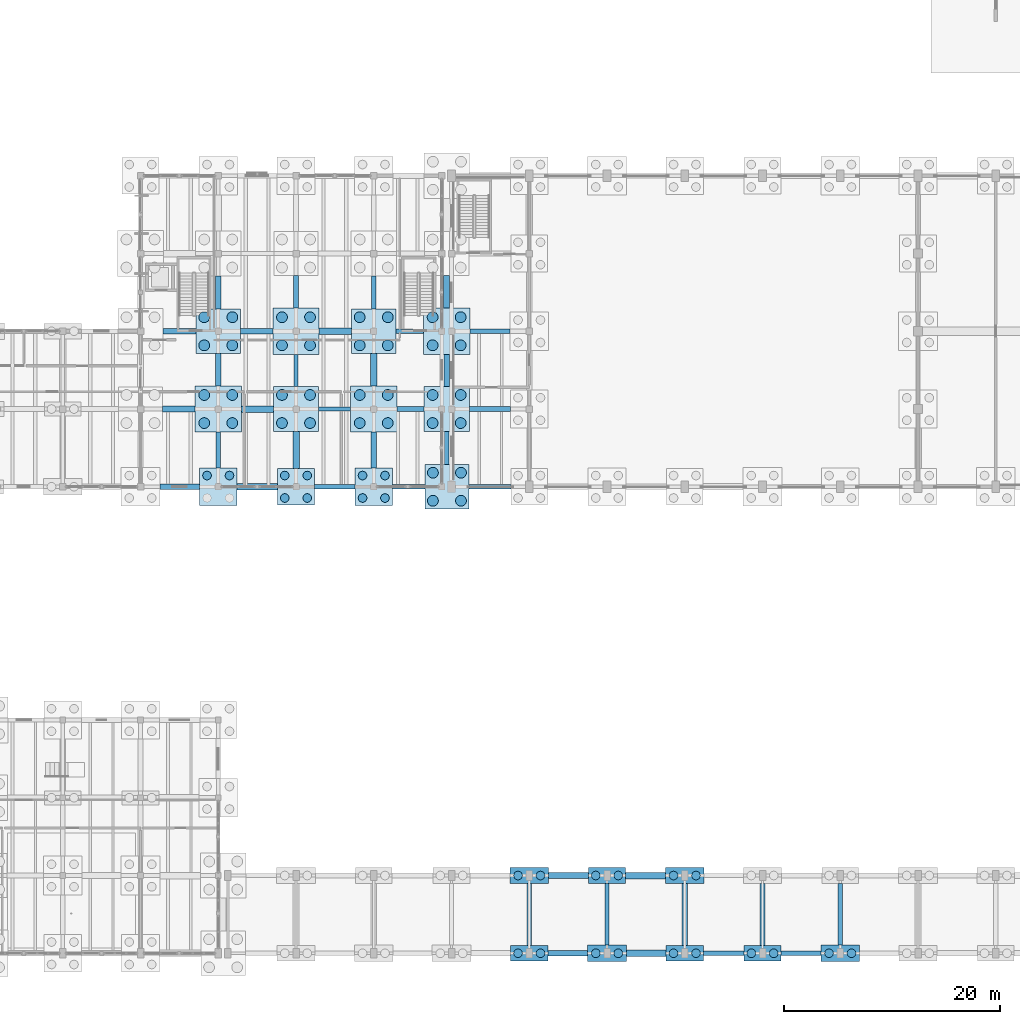
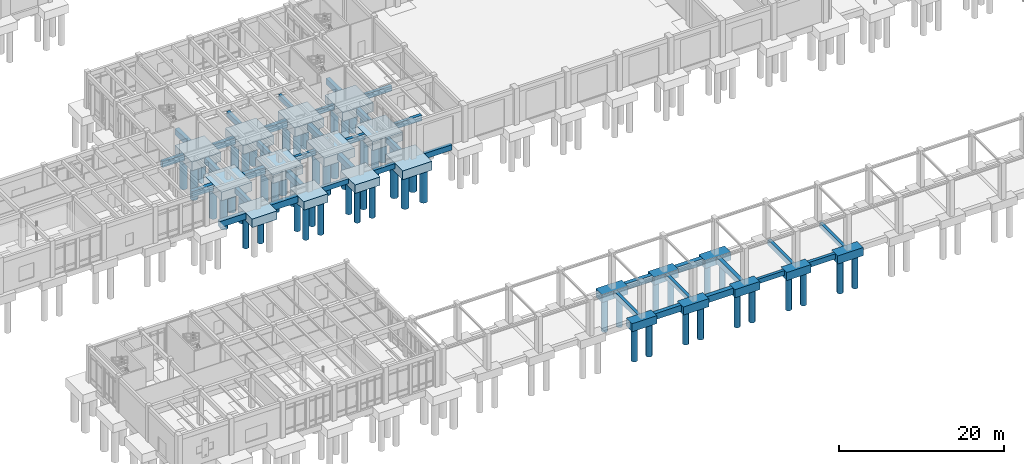
# One storey, part 3 of 93: 62 piles, 58 footings.
"""IFC4 building model written with IfcOpenShell, lengths in metres."""

from ifc_helpers import new_model, si_unit, direction, frame, origin, origin_2d, place, context, subcontext, project, spatial, rectangle, circle, extrude, material, material_profile, profile_set, type_object, element, save


model = new_model("IFC4")

# Units and contexts
model_context = context("Model", 3, precision=1e-05, world=origin(), true_north=direction((0.0, 1.0)))
body_context = subcontext(model_context, "Body", "Model", "MODEL_VIEW")
ifc_project = project(units=[si_unit("LENGTHUNIT", "METRE"), si_unit("AREAUNIT", "SQUARE_METRE"), si_unit("VOLUMEUNIT", "CUBIC_METRE"), si_unit("PLANEANGLEUNIT", "RADIAN"), si_unit("MASSUNIT", "GRAM", prefix="KILO")], contexts=[model_context])

# Site, building, storey
site_placement = place(None, origin())
site = spatial("IfcSite", under=ifc_project, at=site_placement, CompositionType="ELEMENT")
building_placement = place(site_placement, origin())
building = spatial("IfcBuilding", under=site, at=building_placement, Name="Koriwan Promenade Central Fire Station", CompositionType="ELEMENT")
storey_placement = place(building_placement, origin())
storey = spatial("IfcBuildingStorey", under=building, at=storey_placement, Name="L00", CompositionType="ELEMENT", Elevation=0.0)

# Piles
ifc_material = material(Name="Concrete C35/45", Category="concrete")
ifc_material_profile_1 = material_profile(ifc_material, circle(Radius=0.5, at=origin_2d()), Name="PILE-D1000")
ifc_profile_set_1 = profile_set([ifc_material_profile_1], Name="Concrete C35/45")
pile_type_1 = type_object("IfcPileType", Name="BoredPile_1000", PredefinedType="BORED", material=ifc_profile_set_1)
for number, where, z_axis, x_axis, name in (
    (1, (34.699951171875, 49.10009765625, -1.14990234375), (0.0, 0.0, -1.0), (1.0, 0.0, 0.0), "Bored pile PCAP_059-11"),
    (2, (34.699951171875, 51.699951171875, -1.14990234375), (0.0, 0.0, -1.0), (1.0, 0.0, 0.0), "Bored pile PCAP_059-12"),
    (3, (37.300048828125, 49.10009765625, -1.14990234375), (0.0, 0.0, -1.0), (1.0, 0.0, 0.0), "Bored pile PCAP_059-21"),
    (4, (37.300048828125, 51.699951171875, -1.14990234375), (0.0, 0.0, -1.0), (1.0, 0.0, 0.0), "Bored pile PCAP_059-22"),
    (5, (34.699951171875, 56.300048828125, -1.14990234375), (0.0, 0.0, -1.0), (1.0, 0.0, 0.0), "Bored pile PCAP_060-11"),
    (6, (34.699951171875, 58.89990234375, -1.14990234375), (0.0, 0.0, -1.0), (1.0, 0.0, 0.0), "Bored pile PCAP_060-12"),
    (7, (37.300048828125, 56.300048828125, -1.14990234375), (0.0, 0.0, -1.0), (1.0, 0.0, 0.0), "Bored pile PCAP_060-21"),
    (8, (37.300048828125, 58.89990234375, -1.14990234375), (0.0, 0.0, -1.0), (1.0, 0.0, 0.0), "Bored pile PCAP_060-22"),
    (9, (41.89990234375, 49.10009765625, -1.14990234375), (0.0, 0.0, -1.0), (1.0, 0.0, 0.0), "Bored pile PCAP_070-11"),
    (10, (41.89990234375, 51.699951171875, -1.14990234375), (0.0, 0.0, -1.0), (1.0, 0.0, 0.0), "Bored pile PCAP_070-12"),
    (11, (44.5, 49.10009765625, -1.14990234375), (0.0, 0.0, -1.0), (1.0, 0.0, 0.0), "Bored pile PCAP_070-21"),
    (12, (44.5, 51.699951171875, -1.14990234375), (0.0, 0.0, -1.0), (1.0, 0.0, 0.0), "Bored pile PCAP_070-22"),
    (13, (41.89990234375, 56.300048828125, -1.14990234375), (0.0, 0.0, -1.0), (1.0, 0.0, 0.0), "Bored pile PCAP_071-11"),
    (14, (41.89990234375, 58.89990234375, -1.14990234375), (0.0, 0.0, -1.0), (1.0, 0.0, 0.0), "Bored pile PCAP_071-12"),
    (15, (44.5, 56.300048828125, -1.14990234375), (0.0, 0.0, -1.0), (1.0, 0.0, 0.0), "Bored pile PCAP_071-21"),
    (16, (44.5, 58.89990234375, -1.14990234375), (0.0, 0.0, -1.0), (1.0, 0.0, 0.0), "Bored pile PCAP_071-22"),
    (17, (49.10009765625, 49.10009765625, -1.14990234375), (0.0, 0.0, -1.0), (1.0, 0.0, 0.0), "Bored pile PCAP_077-11"),
    (18, (49.10009765625, 51.699951171875, -1.14990234375), (0.0, 0.0, -1.0), (1.0, 0.0, 0.0), "Bored pile PCAP_077-12"),
    (19, (51.699951171875, 49.10009765625, -1.14990234375), (0.0, 0.0, -1.0), (1.0, 0.0, 0.0), "Bored pile PCAP_077-21"),
    (20, (51.699951171875, 51.699951171875, -1.14990234375), (0.0, 0.0, -1.0), (1.0, 0.0, 0.0), "Bored pile PCAP_077-22"),
    (21, (49.10009765625, 56.300048828125, -1.14990234375), (0.0, 0.0, -1.0), (1.0, 0.0, 0.0), "Bored pile PCAP_078-11"),
    (22, (49.10009765625, 58.89990234375, -1.14990234375), (0.0, 0.0, -1.0), (1.0, 0.0, 0.0), "Bored pile PCAP_078-12"),
    (23, (51.699951171875, 56.300048828125, -1.14990234375), (0.0, 0.0, -1.0), (1.0, 0.0, 0.0), "Bored pile PCAP_078-21"),
    (24, (51.699951171875, 58.89990234375, -1.14990234375), (0.0, 0.0, -1.0), (1.0, 0.0, 0.0), "Bored pile PCAP_078-22"),
    (25, (55.875, 41.89990234375, -1.14990234375), (0.0, 0.0, -1.0), (1.0, 0.0, 0.0), "Bored pile PCAP_081-11"),
    (26, (55.875, 44.5, -1.14990234375), (0.0, 0.0, -1.0), (1.0, 0.0, 0.0), "Bored pile PCAP_081-12"),
    (27, (58.47509765625, 41.89990234375, -1.14990234375), (0.0, 0.0, -1.0), (1.0, 0.0, 0.0), "Bored pile PCAP_081-21"),
    (28, (58.47509765625, 44.5, -1.14990234375), (0.0, 0.0, -1.0), (1.0, 0.0, 0.0), "Bored pile PCAP_081-22"),
    (29, (55.85009765625, 49.10009765625, -1.14990234375), (0.0, 0.0, -1.0), (1.0, 0.0, 0.0), "Bored pile PCAP_082-11"),
    (30, (55.85009765625, 51.699951171875, -1.14990234375), (0.0, 0.0, -1.0), (1.0, 0.0, 0.0), "Bored pile PCAP_082-12"),
    (31, (58.449951171875, 49.10009765625, -1.14990234375), (0.0, 0.0, -1.0), (1.0, 0.0, 0.0), "Bored pile PCAP_082-21"),
    (32, (58.449951171875, 51.699951171875, -1.14990234375), (0.0, 0.0, -1.0), (1.0, 0.0, 0.0), "Bored pile PCAP_082-22"),
    (33, (55.85009765625, 56.300048828125, -1.14990234375), (0.0, 0.0, -1.0), (1.0, 0.0, 0.0), "Bored pile PCAP_083-11"),
    (34, (55.85009765625, 58.89990234375, -1.14990234375), (0.0, 0.0, -1.0), (1.0, 0.0, 0.0), "Bored pile PCAP_083-12"),
    (35, (58.449951171875, 56.300048828125, -1.14990234375), (0.0, 0.0, -1.0), (1.0, 0.0, 0.0), "Bored pile PCAP_083-21"),
    (36, (58.449951171875, 58.89990234375, -1.14990234375), (0.0, 0.0, -1.0), (1.0, 0.0, 0.0), "Bored pile PCAP_083-22"),
):
    element("IfcPile", number, at=place(storey_placement, frame(where, z_axis=z_axis, x_axis=x_axis)), inside=storey, type_object=pile_type_1, Name=name, PredefinedType="BORED", context=body_context, shape_type="SweptSolid", body=[
        extrude(circle(Radius=0.5, at=origin_2d()), origin(), (0.0, 0.0, 1.0), 4.89990234375),
    ])
ifc_material_profile_2 = material_profile(ifc_material, circle(Radius=0.39990234375, at=origin_2d()), Name="PILE-D800")
ifc_profile_set_2 = profile_set([ifc_material_profile_2], Name="Concrete C35/45")
pile_type_2 = type_object("IfcPileType", Name="BoredPile_800", PredefinedType="BORED", material=ifc_profile_set_2)
for number, where, z_axis, x_axis, name in (
    (37, (34.9599609375, 44.239990234375, -1.10009765625), (0.0, 0.0, -1.0), (1.0, 0.0, 0.0), "Bored pile PCAP_058-12"),
    (38, (37.0400390625, 44.239990234375, -1.10009765625), (0.0, 0.0, -1.0), (1.0, 0.0, 0.0), "Bored pile PCAP_058-22"),
    (39, (42.159912109375, 42.159912109375, -1.10009765625), (0.0, 0.0, -1.0), (1.0, 0.0, 0.0), "Bored pile PCAP_069-11"),
    (40, (42.159912109375, 44.239990234375, -1.10009765625), (0.0, 0.0, -1.0), (1.0, 0.0, 0.0), "Bored pile PCAP_069-12"),
    (41, (44.239990234375, 42.159912109375, -1.10009765625), (0.0, 0.0, -1.0), (1.0, 0.0, 0.0), "Bored pile PCAP_069-21"),
    (42, (44.239990234375, 44.239990234375, -1.10009765625), (0.0, 0.0, -1.0), (1.0, 0.0, 0.0), "Bored pile PCAP_069-22"),
    (43, (49.360107421875, 42.159912109375, -1.10009765625), (0.0, 0.0, -1.0), (1.0, 0.0, 0.0), "Bored pile PCAP_076-11"),
    (44, (49.360107421875, 44.239990234375, -1.10009765625), (0.0, 0.0, -1.0), (1.0, 0.0, 0.0), "Bored pile PCAP_076-12"),
    (45, (51.43994140625, 42.159912109375, -1.10009765625), (0.0, 0.0, -1.0), (1.0, 0.0, 0.0), "Bored pile PCAP_076-21"),
    (46, (51.43994140625, 44.239990234375, -1.10009765625), (0.0, 0.0, -1.0), (1.0, 0.0, 0.0), "Bored pile PCAP_076-22"),
):
    element("IfcPile", number, at=place(storey_placement, frame(where, z_axis=z_axis, x_axis=x_axis)), inside=storey, type_object=pile_type_2, Name=name, PredefinedType="BORED", context=body_context, shape_type="SweptSolid", body=[
        extrude(circle(Radius=0.39990234375, at=origin_2d()), origin(), (0.0, 0.0, 1.0), 4.949951171875),
    ])
for number, where, z_axis, x_axis, name in (
    (47, (63.760009765625, 0.0, -1.050048828125), (0.0, 0.0, -1.0), (1.0, 0.0, 0.0), "Bored pile PCAP_088-11"),
    (48, (65.840087890625, 0.0, -1.050048828125), (0.0, 0.0, -1.0), (1.0, 0.0, 0.0), "Bored pile PCAP_088-21"),
    (49, (63.760009765625, 7.199951171875, -1.050048828125), (0.0, 0.0, -1.0), (1.0, 0.0, 0.0), "Bored pile PCAP_089-11"),
    (50, (65.840087890625, 7.199951171875, -1.050048828125), (0.0, 0.0, -1.0), (1.0, 0.0, 0.0), "Bored pile PCAP_089-21"),
    (51, (70.9599609375, 0.0, -1.050048828125), (0.0, 0.0, -1.0), (1.0, 0.0, 0.0), "Bored pile PCAP_095-11"),
    (52, (73.0400390625, 0.0, -1.050048828125), (0.0, 0.0, -1.0), (1.0, 0.0, 0.0), "Bored pile PCAP_095-21"),
    (53, (70.9599609375, 7.199951171875, -1.050048828125), (0.0, 0.0, -1.0), (1.0, 0.0, 0.0), "Bored pile PCAP_096-11"),
    (54, (73.0400390625, 7.199951171875, -1.050048828125), (0.0, 0.0, -1.0), (1.0, 0.0, 0.0), "Bored pile PCAP_096-21"),
    (55, (78.159912109375, 0.0, -1.050048828125), (0.0, 0.0, -1.0), (1.0, 0.0, 0.0), "Bored pile PCAP_103-11"),
    (56, (80.239990234375, 0.0, -1.050048828125), (0.0, 0.0, -1.0), (1.0, 0.0, 0.0), "Bored pile PCAP_103-21"),
    (57, (78.159912109375, 7.199951171875, -1.050048828125), (0.0, 0.0, -1.0), (1.0, 0.0, 0.0), "Bored pile PCAP_104-11"),
    (58, (80.239990234375, 7.199951171875, -1.050048828125), (0.0, 0.0, -1.0), (1.0, 0.0, 0.0), "Bored pile PCAP_104-21"),
    (59, (85.360107421875, 0.0, -1.050048828125), (0.0, 0.0, -1.0), (1.0, 0.0, 0.0), "Bored pile PCAP_111-11"),
    (60, (87.43994140625, 0.0, -1.050048828125), (0.0, 0.0, -1.0), (1.0, 0.0, 0.0), "Bored pile PCAP_111-21"),
    (61, (92.56005859375, 0.0, -1.050048828125), (0.0, 0.0, -1.0), (1.0, 0.0, 0.0), "Bored pile PCAP_119-11"),
    (62, (94.639892578125, 0.0, -1.050048828125), (0.0, 0.0, -1.0), (1.0, 0.0, 0.0), "Bored pile PCAP_119-21"),
):
    element("IfcPile", number, at=place(storey_placement, frame(where, z_axis=z_axis, x_axis=x_axis)), inside=storey, type_object=pile_type_2, Name=name, PredefinedType="BORED", context=body_context, shape_type="SweptSolid", body=[
        extrude(circle(Radius=0.39990234375, at=origin_2d()), origin(), (0.0, 0.0, 1.0), 5.0),
    ])

# Footings
footing_type_1 = type_object("IfcFootingType", Name="GroundTieBeam_400x700", PredefinedType="FOOTING_BEAM", material=ifc_material)
for number, where, z_axis, x_axis, name in (
    (63, (82.824951171875, 0.0, -0.7001953125), (0.0, 0.0, 1.0), (1.0, 0.0, 0.0), "Seismic tie beam X-012"),
    (64, (46.77490234375, 43.199951171875, -0.7001953125), (0.0, 0.0, 1.0), (1.0, 0.0, 0.0), "Seismic tie beam X-078"),
):
    element("IfcFooting", number, at=place(storey_placement, frame(where, z_axis=z_axis, x_axis=x_axis)), inside=storey, type_object=footing_type_1, Name=name, PredefinedType="FOOTING_BEAM", context=body_context, shape_type="SweptSolid", body=[
        extrude(rectangle(XDim=3.75, YDim=0.39990234375, at=origin_2d()), origin(), (0.0, 0.0, 1.0), 0.699951171875),
    ])
footing_1_placement = place(storey_placement, frame((46.77490234375, 50.39990234375, -0.7001953125), z_axis=(0.0, 0.0, 1.0), x_axis=(1.0, 0.0, 0.0)))
element("IfcFooting", 65, at=footing_1_placement, inside=storey, type_object=footing_type_1, Name="Seismic tie beam X-102", PredefinedType="FOOTING_BEAM", context=body_context, shape_type="SweptSolid", body=[
    extrude(rectangle(XDim=2.949951171875, YDim=0.39990234375, at=origin_2d()), origin(), (0.0, 0.0, 1.0), 0.699951171875),
])
footing_2_placement = place(storey_placement, frame((53.72509765625, 57.60009765625, -0.7001953125), z_axis=(0.0, 0.0, 1.0), x_axis=(1.0, 0.0, 0.0)))
element("IfcFooting", 66, at=footing_2_placement, inside=storey, type_object=footing_type_1, Name="Seismic tie beam X-120", PredefinedType="FOOTING_BEAM", context=body_context, shape_type="SweptSolid", body=[
    extrude(rectangle(XDim=2.550048828125, YDim=0.39990234375, at=origin_2d()), origin(), (0.0, 0.0, 1.0), 0.699951171875),
])
footing_3_placement = place(storey_placement, frame((43.199951171875, 53.97509765625, -0.7001953125), z_axis=(0.0, 0.0, 1.0), x_axis=(0.0, 1.0, 0.0)))
element("IfcFooting", 67, at=footing_3_placement, inside=storey, type_object=footing_type_1, Name="Seismic tie beam Y-228", PredefinedType="FOOTING_BEAM", context=body_context, shape_type="SweptSolid", body=[
    extrude(rectangle(XDim=2.949951171875, YDim=0.39990234375, at=origin_2d()), origin(), (0.0, 0.0, 1.0), 0.699951171875),
])
footing_4_placement = place(storey_placement, frame((50.39990234375, 61.175048828125, -0.7001953125), z_axis=(0.0, 0.0, 1.0), x_axis=(0.0, 1.0, 0.0)))
element("IfcFooting", 68, at=footing_4_placement, inside=storey, type_object=footing_type_1, Name="Seismic tie beam Y-234", PredefinedType="FOOTING_BEAM", context=body_context, shape_type="SweptSolid", body=[
    extrude(rectangle(XDim=3.050048828125, YDim=0.39990234375, at=origin_2d()), origin(), (0.0, 0.0, 1.0), 0.699951171875),
])
for number, where, z_axis, x_axis, name in (
    (69, (72.0, 3.612548828125, -0.7001953125), (0.0, 0.0, 1.0), (0.0, 1.0, 0.0), "Seismic tie beam Y-246"),
    (70, (93.60009765625, 3.612548828125, -0.7001953125), (0.0, 0.0, 1.0), (0.0, 1.0, 0.0), "Seismic tie beam Y-258"),
):
    element("IfcFooting", number, at=place(storey_placement, frame(where, z_axis=z_axis, x_axis=x_axis)), inside=storey, type_object=footing_type_1, Name=name, PredefinedType="FOOTING_BEAM", context=body_context, shape_type="SweptSolid", body=[
        extrude(rectangle(XDim=5.72509765625, YDim=0.39990234375, at=origin_2d()), origin(), (0.0, 0.0, 1.0), 0.699951171875),
    ])
footing_type_2 = type_object("IfcFootingType", Name="GroundTieBeam_450x750", PredefinedType="FOOTING_BEAM", material=ifc_material)
footing_5_placement = place(storey_placement, frame((89.949951171875, 0.0, -0.75), z_axis=(0.0, 0.0, 1.0), x_axis=(1.0, 0.0, 0.0)))
element("IfcFooting", 71, at=footing_5_placement, inside=storey, type_object=footing_type_2, Name="Seismic tie beam X-013", PredefinedType="FOOTING_BEAM", context=body_context, shape_type="SweptSolid", body=[
    extrude(rectangle(XDim=3.699951171875, YDim=0.449951171875, at=origin_2d()), origin(), (0.0, 0.0, 1.0), 0.75),
])
footing_6_placement = place(storey_placement, frame((53.637451171875, 43.199951171875, -0.75), z_axis=(0.0, 0.0, 1.0), x_axis=(1.0, 0.0, 0.0)))
element("IfcFooting", 72, at=footing_6_placement, inside=storey, type_object=footing_type_2, Name="Seismic tie beam X-079", PredefinedType="FOOTING_BEAM", context=body_context, shape_type="SweptSolid", body=[
    extrude(rectangle(XDim=2.97509765625, YDim=0.449951171875, at=origin_2d()), origin(), (0.0, 0.0, 1.0), 0.75),
])
footing_7_placement = place(storey_placement, frame((53.800048828125, 50.39990234375, -0.75), z_axis=(0.0, 0.0, 1.0), x_axis=(1.0, 0.0, 0.0)))
element("IfcFooting", 73, at=footing_7_placement, inside=storey, type_object=footing_type_2, Name="Seismic tie beam X-103", PredefinedType="FOOTING_BEAM", context=body_context, shape_type="SweptSolid", body=[
    extrude(rectangle(XDim=2.5, YDim=0.449951171875, at=origin_2d()), origin(), (0.0, 0.0, 1.0), 0.75),
])
footing_8_placement = place(storey_placement, frame((61.14990234375, 57.60009765625, -0.75), z_axis=(0.0, 0.0, 1.0), x_axis=(1.0, 0.0, 0.0)))
element("IfcFooting", 74, at=footing_8_placement, inside=storey, type_object=footing_type_2, Name="Seismic tie beam X-121", PredefinedType="FOOTING_BEAM", context=body_context, shape_type="SweptSolid", body=[
    extrude(rectangle(XDim=3.699951171875, YDim=0.449951171875, at=origin_2d()), origin(), (0.0, 0.0, 1.0), 0.75),
])
footing_9_placement = place(storey_placement, frame((43.199951171875, 61.25, -0.75), z_axis=(0.0, 0.0, 1.0), x_axis=(0.0, 1.0, 0.0)))
element("IfcFooting", 75, at=footing_9_placement, inside=storey, type_object=footing_type_2, Name="Seismic tie beam Y-229", PredefinedType="FOOTING_BEAM", context=body_context, shape_type="SweptSolid", body=[
    extrude(rectangle(XDim=3.0, YDim=0.449951171875, at=origin_2d()), origin(), (0.0, 0.0, 1.0), 0.75),
])
footing_10_placement = place(storey_placement, frame((64.800048828125, 3.574951171875, -0.75), z_axis=(0.0, 0.0, 1.0), x_axis=(0.0, 1.0, 0.0)))
element("IfcFooting", 76, at=footing_10_placement, inside=storey, type_object=footing_type_2, Name="Seismic tie beam Y-241", PredefinedType="FOOTING_BEAM", context=body_context, shape_type="SweptSolid", body=[
    extrude(rectangle(XDim=5.75, YDim=0.449951171875, at=origin_2d()), origin(), (0.0, 0.0, 1.0), 0.75),
])
footing_type_3 = type_object("IfcFootingType", Name="GroundTieBeam_450x800", PredefinedType="FOOTING_BEAM", material=ifc_material)
footing_11_placement = place(storey_placement, frame((61.16259765625, 43.199951171875, -0.7998046875), z_axis=(0.0, 0.0, 1.0), x_axis=(1.0, 0.0, 0.0)))
element("IfcFooting", 77, at=footing_11_placement, inside=storey, type_object=footing_type_3, Name="Seismic tie beam X-080", PredefinedType="FOOTING_BEAM", context=body_context, shape_type="SweptSolid", body=[
    extrude(rectangle(XDim=3.875, YDim=0.449951171875, at=origin_2d()), origin(), (0.0, 0.0, 1.0), 0.800048828125),
])
footing_12_placement = place(storey_placement, frame((61.14990234375, 50.39990234375, -0.7998046875), z_axis=(0.0, 0.0, 1.0), x_axis=(1.0, 0.0, 0.0)))
element("IfcFooting", 78, at=footing_12_placement, inside=storey, type_object=footing_type_3, Name="Seismic tie beam X-104", PredefinedType="FOOTING_BEAM", context=body_context, shape_type="SweptSolid", body=[
    extrude(rectangle(XDim=3.800048828125, YDim=0.449951171875, at=origin_2d()), origin(), (0.0, 0.0, 1.0), 0.800048828125),
])
footing_13_placement = place(storey_placement, frame((36.0, 46.60009765625, -0.7998046875), z_axis=(0.0, 0.0, 1.0), x_axis=(0.0, 1.0, 0.0)))
element("IfcFooting", 79, at=footing_13_placement, inside=storey, type_object=footing_type_3, Name="Seismic tie beam Y-218", PredefinedType="FOOTING_BEAM", context=body_context, shape_type="SweptSolid", body=[
    extrude(rectangle(XDim=3.300048828125, YDim=0.449951171875, at=origin_2d()), origin(), (0.0, 0.0, 1.0), 0.800048828125),
])
footing_14_placement = place(storey_placement, frame((57.16259765625, 46.77490234375, -0.7998046875), z_axis=(0.0, 0.0, 1.0), x_axis=(0.0, 1.0, 0.0)))
element("IfcFooting", 80, at=footing_14_placement, inside=storey, type_object=footing_type_3, Name="Seismic tie beam Y-236", PredefinedType="FOOTING_BEAM", context=body_context, shape_type="SweptSolid", body=[
    extrude(rectangle(XDim=3.050048828125, YDim=0.449951171875, at=origin_2d()), origin(), (0.0, 0.0, 1.0), 0.800048828125),
])
footing_15_placement = place(storey_placement, frame((86.39990234375, 3.58740234375, -0.7998046875), z_axis=(0.0, 0.0, 1.0), x_axis=(0.0, 1.0, 0.0)))
element("IfcFooting", 81, at=footing_15_placement, inside=storey, type_object=footing_type_3, Name="Seismic tie beam Y-254", PredefinedType="FOOTING_BEAM", context=body_context, shape_type="SweptSolid", body=[
    extrude(rectangle(XDim=5.77490234375, YDim=0.449951171875, at=origin_2d()), origin(), (0.0, 0.0, 1.0), 0.800048828125),
])
footing_type_4 = type_object("IfcFootingType", Name="GroundTieBeam_500x850", PredefinedType="FOOTING_BEAM", material=ifc_material)
footing_16_placement = place(storey_placement, frame((32.425048828125, 57.60009765625, -0.85009765625), z_axis=(0.0, 0.0, 1.0), x_axis=(1.0, 0.0, 0.0)))
element("IfcFooting", 82, at=footing_16_placement, inside=storey, type_object=footing_type_4, Name="Seismic tie beam X-117", PredefinedType="FOOTING_BEAM", context=body_context, shape_type="SweptSolid", body=[
    extrude(rectangle(XDim=3.050048828125, YDim=0.5, at=origin_2d()), origin(), (0.0, 0.0, 1.0), 0.85009765625),
])
footing_17_placement = place(storey_placement, frame((36.0, 54.050048828125, -0.85009765625), z_axis=(0.0, 0.0, 1.0), x_axis=(0.0, 1.0, 0.0)))
element("IfcFooting", 83, at=footing_17_placement, inside=storey, type_object=footing_type_4, Name="Seismic tie beam Y-219", PredefinedType="FOOTING_BEAM", context=body_context, shape_type="SweptSolid", body=[
    extrude(rectangle(XDim=3.0, YDim=0.5, at=origin_2d()), origin(), (0.0, 0.0, 1.0), 0.85009765625),
])
footing_18_placement = place(storey_placement, frame((57.14990234375, 53.97509765625, -0.85009765625), z_axis=(0.0, 0.0, 1.0), x_axis=(0.0, 1.0, 0.0)))
element("IfcFooting", 84, at=footing_18_placement, inside=storey, type_object=footing_type_4, Name="Seismic tie beam Y-237", PredefinedType="FOOTING_BEAM", context=body_context, shape_type="SweptSolid", body=[
    extrude(rectangle(XDim=2.949951171875, YDim=0.5, at=origin_2d()), origin(), (0.0, 0.0, 1.0), 0.85009765625),
])
footing_type_5 = type_object("IfcFootingType", Name="GroundTieBeam_550x900", PredefinedType="FOOTING_BEAM", material=ifc_material)
footing_19_placement = place(storey_placement, frame((68.375, 0.0, -0.89990234375), z_axis=(0.0, 0.0, 1.0), x_axis=(1.0, 0.0, 0.0)))
element("IfcFooting", 85, at=footing_19_placement, inside=storey, type_object=footing_type_5, Name="Seismic tie beam X-010", PredefinedType="FOOTING_BEAM", context=body_context, shape_type="SweptSolid", body=[
    extrude(rectangle(XDim=3.64990234375, YDim=0.550048828125, at=origin_2d()), origin(), (0.0, 0.0, 1.0), 0.89990234375),
])
footing_20_placement = place(storey_placement, frame((68.449951171875, 7.199951171875, -0.89990234375), z_axis=(0.0, 0.0, 1.0), x_axis=(1.0, 0.0, 0.0)))
element("IfcFooting", 86, at=footing_20_placement, inside=storey, type_object=footing_type_5, Name="Seismic tie beam X-034", PredefinedType="FOOTING_BEAM", context=body_context, shape_type="SweptSolid", body=[
    extrude(rectangle(XDim=3.699951171875, YDim=0.550048828125, at=origin_2d()), origin(), (0.0, 0.0, 1.0), 0.89990234375),
])
footing_21_placement = place(storey_placement, frame((32.425048828125, 43.199951171875, -0.89990234375), z_axis=(0.0, 0.0, 1.0), x_axis=(1.0, 0.0, 0.0)))
element("IfcFooting", 87, at=footing_21_placement, inside=storey, type_object=footing_type_5, Name="Seismic tie beam X-076", PredefinedType="FOOTING_BEAM", context=body_context, shape_type="SweptSolid", body=[
    extrude(rectangle(XDim=3.64990234375, YDim=0.550048828125, at=origin_2d()), origin(), (0.0, 0.0, 1.0), 0.89990234375),
])
for number, where, z_axis, x_axis, name in (
    (88, (32.35009765625, 50.39990234375, -0.89990234375), (0.0, 0.0, 1.0), (1.0, 0.0, 0.0), "Seismic tie beam X-100"),
    (89, (39.550048828125, 57.60009765625, -0.89990234375), (0.0, 0.0, 1.0), (1.0, 0.0, 0.0), "Seismic tie beam X-118"),
):
    element("IfcFooting", number, at=place(storey_placement, frame(where, z_axis=z_axis, x_axis=x_axis)), inside=storey, type_object=footing_type_5, Name=name, PredefinedType="FOOTING_BEAM", context=body_context, shape_type="SweptSolid", body=[
        extrude(rectangle(XDim=3.0, YDim=0.550048828125, at=origin_2d()), origin(), (0.0, 0.0, 1.0), 0.89990234375),
    ])
footing_22_placement = place(storey_placement, frame((36.0, 61.175048828125, -0.89990234375), z_axis=(0.0, 0.0, 1.0), x_axis=(0.0, 1.0, 0.0)))
element("IfcFooting", 90, at=footing_22_placement, inside=storey, type_object=footing_type_5, Name="Seismic tie beam Y-220", PredefinedType="FOOTING_BEAM", context=body_context, shape_type="SweptSolid", body=[
    extrude(rectangle(XDim=3.050048828125, YDim=0.550048828125, at=origin_2d()), origin(), (0.0, 0.0, 1.0), 0.89990234375),
])
footing_23_placement = place(storey_placement, frame((50.39990234375, 46.60009765625, -0.89990234375), z_axis=(0.0, 0.0, 1.0), x_axis=(0.0, 1.0, 0.0)))
element("IfcFooting", 91, at=footing_23_placement, inside=storey, type_object=footing_type_5, Name="Seismic tie beam Y-232", PredefinedType="FOOTING_BEAM", context=body_context, shape_type="SweptSolid", body=[
    extrude(rectangle(XDim=3.300048828125, YDim=0.550048828125, at=origin_2d()), origin(), (0.0, 0.0, 1.0), 0.89990234375),
])
footing_24_placement = place(storey_placement, frame((57.14990234375, 61.25, -0.89990234375), z_axis=(0.0, 0.0, 1.0), x_axis=(0.0, 1.0, 0.0)))
element("IfcFooting", 92, at=footing_24_placement, inside=storey, type_object=footing_type_5, Name="Seismic tie beam Y-238", PredefinedType="FOOTING_BEAM", context=body_context, shape_type="SweptSolid", body=[
    extrude(rectangle(XDim=3.0, YDim=0.550048828125, at=origin_2d()), origin(), (0.0, 0.0, 1.0), 0.89990234375),
])
footing_25_placement = place(storey_placement, frame((79.199951171875, 3.574951171875, -0.89990234375), z_axis=(0.0, 0.0, 1.0), x_axis=(0.0, 1.0, 0.0)))
element("IfcFooting", 93, at=footing_25_placement, inside=storey, type_object=footing_type_5, Name="Seismic tie beam Y-250", PredefinedType="FOOTING_BEAM", context=body_context, shape_type="SweptSolid", body=[
    extrude(rectangle(XDim=5.75, YDim=0.550048828125, at=origin_2d()), origin(), (0.0, 0.0, 1.0), 0.89990234375),
])
footing_type_6 = type_object("IfcFootingType", Name="GroundTieBeam_600x950", PredefinedType="FOOTING_BEAM", material=ifc_material)
footing_26_placement = place(storey_placement, frame((75.625, 0.0, -0.9501953125), z_axis=(0.0, 0.0, 1.0), x_axis=(1.0, 0.0, 0.0)))
element("IfcFooting", 94, at=footing_26_placement, inside=storey, type_object=footing_type_6, Name="Seismic tie beam X-011", PredefinedType="FOOTING_BEAM", context=body_context, shape_type="SweptSolid", body=[
    extrude(rectangle(XDim=3.64990234375, YDim=0.60009765625, at=origin_2d()), origin(), (0.0, 0.0, 1.0), 0.949951171875),
])
footing_27_placement = place(storey_placement, frame((75.550048828125, 7.199951171875, -0.9501953125), z_axis=(0.0, 0.0, 1.0), x_axis=(1.0, 0.0, 0.0)))
element("IfcFooting", 95, at=footing_27_placement, inside=storey, type_object=footing_type_6, Name="Seismic tie beam X-035", PredefinedType="FOOTING_BEAM", context=body_context, shape_type="SweptSolid", body=[
    extrude(rectangle(XDim=3.699951171875, YDim=0.60009765625, at=origin_2d()), origin(), (0.0, 0.0, 1.0), 0.949951171875),
])
footing_28_placement = place(storey_placement, frame((39.625, 43.199951171875, -0.9501953125), z_axis=(0.0, 0.0, 1.0), x_axis=(1.0, 0.0, 0.0)))
element("IfcFooting", 96, at=footing_28_placement, inside=storey, type_object=footing_type_6, Name="Seismic tie beam X-077", PredefinedType="FOOTING_BEAM", context=body_context, shape_type="SweptSolid", body=[
    extrude(rectangle(XDim=3.75, YDim=0.60009765625, at=origin_2d()), origin(), (0.0, 0.0, 1.0), 0.949951171875),
])
footing_29_placement = place(storey_placement, frame((39.625, 50.39990234375, -0.9501953125), z_axis=(0.0, 0.0, 1.0), x_axis=(1.0, 0.0, 0.0)))
element("IfcFooting", 97, at=footing_29_placement, inside=storey, type_object=footing_type_6, Name="Seismic tie beam X-101", PredefinedType="FOOTING_BEAM", context=body_context, shape_type="SweptSolid", body=[
    extrude(rectangle(XDim=2.949951171875, YDim=0.60009765625, at=origin_2d()), origin(), (0.0, 0.0, 1.0), 0.949951171875),
])
footing_30_placement = place(storey_placement, frame((46.85009765625, 57.60009765625, -0.9501953125), z_axis=(0.0, 0.0, 1.0), x_axis=(1.0, 0.0, 0.0)))
element("IfcFooting", 98, at=footing_30_placement, inside=storey, type_object=footing_type_6, Name="Seismic tie beam X-119", PredefinedType="FOOTING_BEAM", context=body_context, shape_type="SweptSolid", body=[
    extrude(rectangle(XDim=3.0, YDim=0.60009765625, at=origin_2d()), origin(), (0.0, 0.0, 1.0), 0.949951171875),
])
footing_31_placement = place(storey_placement, frame((43.199951171875, 46.60009765625, -0.9501953125), z_axis=(0.0, 0.0, 1.0), x_axis=(0.0, 1.0, 0.0)))
element("IfcFooting", 99, at=footing_31_placement, inside=storey, type_object=footing_type_6, Name="Seismic tie beam Y-227", PredefinedType="FOOTING_BEAM", context=body_context, shape_type="SweptSolid", body=[
    extrude(rectangle(XDim=3.39990234375, YDim=0.60009765625, at=origin_2d()), origin(), (0.0, 0.0, 1.0), 0.949951171875),
])
footing_32_placement = place(storey_placement, frame((50.39990234375, 54.050048828125, -0.9501953125), z_axis=(0.0, 0.0, 1.0), x_axis=(0.0, 1.0, 0.0)))
element("IfcFooting", 100, at=footing_32_placement, inside=storey, type_object=footing_type_6, Name="Seismic tie beam Y-233", PredefinedType="FOOTING_BEAM", context=body_context, shape_type="SweptSolid", body=[
    extrude(rectangle(XDim=3.0, YDim=0.60009765625, at=origin_2d()), origin(), (0.0, 0.0, 1.0), 0.949951171875),
])
footing_type_7 = type_object("IfcFootingType", Name="PileCap_3400x1400x1200", PredefinedType="PILE_CAP", material=ifc_material)
footing_33_placement = place(storey_placement, frame((86.39990234375, 0.0, -1.2001953125), z_axis=(0.0, 0.0, 1.0), x_axis=(1.0, 0.0, 0.0)))
element("IfcFooting", 101, at=footing_33_placement, inside=storey, type_object=footing_type_7, Name="Pile cap PCAP_111 (3400x1400x1200)", PredefinedType="PILE_CAP", context=body_context, shape_type="SweptSolid", body=[
    extrude(rectangle(XDim=3.39990234375, YDim=1.39990234375, at=origin_2d()), origin(), (0.0, 0.0, 1.0), 1.199951171875),
])
footing_type_8 = type_object("IfcFootingType", Name="PileCap_3400x1450x1200", PredefinedType="PILE_CAP", material=ifc_material)
footing_34_placement = place(storey_placement, frame((72.0, 7.199951171875, -1.2001953125), z_axis=(0.0, 0.0, 1.0), x_axis=(1.0, 0.0, 0.0)))
element("IfcFooting", 102, at=footing_34_placement, inside=storey, type_object=footing_type_8, Name="Pile cap PCAP_096 (3400x1450x1200)", PredefinedType="PILE_CAP", context=body_context, shape_type="SweptSolid", body=[
    extrude(rectangle(XDim=3.39990234375, YDim=1.449951171875, at=origin_2d()), origin(), (0.0, 0.0, 1.0), 1.199951171875),
])
footing_type_9 = type_object("IfcFootingType", Name="PileCap_3400x3400x1250", PredefinedType="PILE_CAP", material=ifc_material)
footing_35_placement = place(storey_placement, frame((43.199951171875, 43.199951171875, -1.25), z_axis=(0.0, 0.0, 1.0), x_axis=(1.0, 0.0, 0.0)))
element("IfcFooting", 103, at=footing_35_placement, inside=storey, type_object=footing_type_9, Name="Pile cap PCAP_069 (3400x3400x1250)", PredefinedType="PILE_CAP", context=body_context, shape_type="SweptSolid", body=[
    extrude(rectangle(XDim=3.39990234375, YDim=3.39990234375, at=origin_2d()), origin(), (0.0, 0.0, 1.0), 1.25),
])
footing_type_10 = type_object("IfcFootingType", Name="PileCap_3500x1400x1200", PredefinedType="PILE_CAP", material=ifc_material)
for number, where, z_axis, x_axis, name in (
    (104, (64.800048828125, 0.0, -1.2001953125), (0.0, 0.0, 1.0), (1.0, 0.0, 0.0), "Pile cap PCAP_088 (3500x1400x1200)"),
    (105, (79.199951171875, 0.0, -1.2001953125), (0.0, 0.0, 1.0), (1.0, 0.0, 0.0), "Pile cap PCAP_103 (3500x1400x1200)"),
):
    element("IfcFooting", number, at=place(storey_placement, frame(where, z_axis=z_axis, x_axis=x_axis)), inside=storey, type_object=footing_type_10, Name=name, PredefinedType="PILE_CAP", context=body_context, shape_type="SweptSolid", body=[
        extrude(rectangle(XDim=3.5, YDim=1.39990234375, at=origin_2d()), origin(), (0.0, 0.0, 1.0), 1.199951171875),
    ])
footing_type_11 = type_object("IfcFootingType", Name="PileCap_3500x3500x1250", PredefinedType="PILE_CAP", material=ifc_material)
for number, where, z_axis, x_axis, name in (
    (106, (36.0, 43.199951171875, -1.25), (0.0, 0.0, 1.0), (1.0, 0.0, 0.0), "Pile cap PCAP_058 (3500x3500x1250)"),
    (107, (50.39990234375, 43.199951171875, -1.25), (0.0, 0.0, 1.0), (1.0, 0.0, 0.0), "Pile cap PCAP_076 (3500x3500x1250)"),
):
    element("IfcFooting", number, at=place(storey_placement, frame(where, z_axis=z_axis, x_axis=x_axis)), inside=storey, type_object=footing_type_11, Name=name, PredefinedType="PILE_CAP", context=body_context, shape_type="SweptSolid", body=[
        extrude(rectangle(XDim=3.5, YDim=3.5, at=origin_2d()), origin(), (0.0, 0.0, 1.0), 1.25),
    ])
footing_type_12 = type_object("IfcFootingType", Name="PileCap_3600x1500x1200", PredefinedType="PILE_CAP", material=ifc_material)
for number, where, z_axis, x_axis, name in (
    (108, (64.800048828125, 7.199951171875, -1.2001953125), (0.0, 0.0, 1.0), (1.0, 0.0, 0.0), "Pile cap PCAP_089 (3600x1500x1200)"),
    (109, (72.0, 0.0, -1.2001953125), (0.0, 0.0, 1.0), (1.0, 0.0, 0.0), "Pile cap PCAP_095 (3600x1500x1200)"),
    (110, (79.199951171875, 7.199951171875, -1.2001953125), (0.0, 0.0, 1.0), (1.0, 0.0, 0.0), "Pile cap PCAP_104 (3600x1500x1200)"),
    (111, (93.60009765625, 0.0, -1.2001953125), (0.0, 0.0, 1.0), (1.0, 0.0, 0.0), "Pile cap PCAP_119 (3600x1500x1200)"),
):
    element("IfcFooting", number, at=place(storey_placement, frame(where, z_axis=z_axis, x_axis=x_axis)), inside=storey, type_object=footing_type_12, Name=name, PredefinedType="PILE_CAP", context=body_context, shape_type="SweptSolid", body=[
        extrude(rectangle(XDim=3.60009765625, YDim=1.5, at=origin_2d()), origin(), (0.0, 0.0, 1.0), 1.199951171875),
    ])
footing_type_13 = type_object("IfcFootingType", Name="PileCap_4100x4100x1300", PredefinedType="PILE_CAP", material=ifc_material)
for number, where, z_axis, x_axis, name in (
    (112, (36.0, 57.60009765625, -1.2998046875), (0.0, 0.0, 1.0), (1.0, 0.0, 0.0), "Pile cap PCAP_060 (4100x4100x1300)"),
    (113, (50.39990234375, 57.60009765625, -1.2998046875), (0.0, 0.0, 1.0), (1.0, 0.0, 0.0), "Pile cap PCAP_078 (4100x4100x1300)"),
    (114, (57.175048828125, 43.199951171875, -1.2998046875), (0.0, 0.0, 1.0), (1.0, 0.0, 0.0), "Pile cap PCAP_081 (4100x4100x1300)"),
):
    element("IfcFooting", number, at=place(storey_placement, frame(where, z_axis=z_axis, x_axis=x_axis)), inside=storey, type_object=footing_type_13, Name=name, PredefinedType="PILE_CAP", context=body_context, shape_type="SweptSolid", body=[
        extrude(rectangle(XDim=4.10009765625, YDim=4.10009765625, at=origin_2d()), origin(), (0.0, 0.0, 1.0), 1.300048828125),
    ])
footing_type_14 = type_object("IfcFootingType", Name="PileCap_4200x4200x1300", PredefinedType="PILE_CAP", material=ifc_material)
for number, where, z_axis, x_axis, name in (
    (115, (43.199951171875, 50.39990234375, -1.2998046875), (0.0, 0.0, 1.0), (1.0, 0.0, 0.0), "Pile cap PCAP_070 (4200x4200x1300)"),
    (116, (57.14990234375, 50.39990234375, -1.2998046875), (0.0, 0.0, 1.0), (1.0, 0.0, 0.0), "Pile cap PCAP_082 (4200x4200x1300)"),
):
    element("IfcFooting", number, at=place(storey_placement, frame(where, z_axis=z_axis, x_axis=x_axis)), inside=storey, type_object=footing_type_14, Name=name, PredefinedType="PILE_CAP", context=body_context, shape_type="SweptSolid", body=[
        extrude(rectangle(XDim=4.199951171875, YDim=4.199951171875, at=origin_2d()), origin(), (0.0, 0.0, 1.0), 1.300048828125),
    ])
footing_type_15 = type_object("IfcFootingType", Name="PileCap_4300x4300x1300", PredefinedType="PILE_CAP", material=ifc_material)
for number, where, z_axis, x_axis, name in (
    (117, (36.0, 50.39990234375, -1.2998046875), (0.0, 0.0, 1.0), (1.0, 0.0, 0.0), "Pile cap PCAP_059 (4300x4300x1300)"),
    (118, (43.199951171875, 57.60009765625, -1.2998046875), (0.0, 0.0, 1.0), (1.0, 0.0, 0.0), "Pile cap PCAP_071 (4300x4300x1300)"),
    (119, (50.39990234375, 50.39990234375, -1.2998046875), (0.0, 0.0, 1.0), (1.0, 0.0, 0.0), "Pile cap PCAP_077 (4300x4300x1300)"),
    (120, (57.14990234375, 57.60009765625, -1.2998046875), (0.0, 0.0, 1.0), (1.0, 0.0, 0.0), "Pile cap PCAP_083 (4300x4300x1300)"),
):
    element("IfcFooting", number, at=place(storey_placement, frame(where, z_axis=z_axis, x_axis=x_axis)), inside=storey, type_object=footing_type_15, Name=name, PredefinedType="PILE_CAP", context=body_context, shape_type="SweptSolid", body=[
        extrude(rectangle(XDim=4.300048828125, YDim=4.300048828125, at=origin_2d()), origin(), (0.0, 0.0, 1.0), 1.300048828125),
    ])

save(model, "model.ifc")
